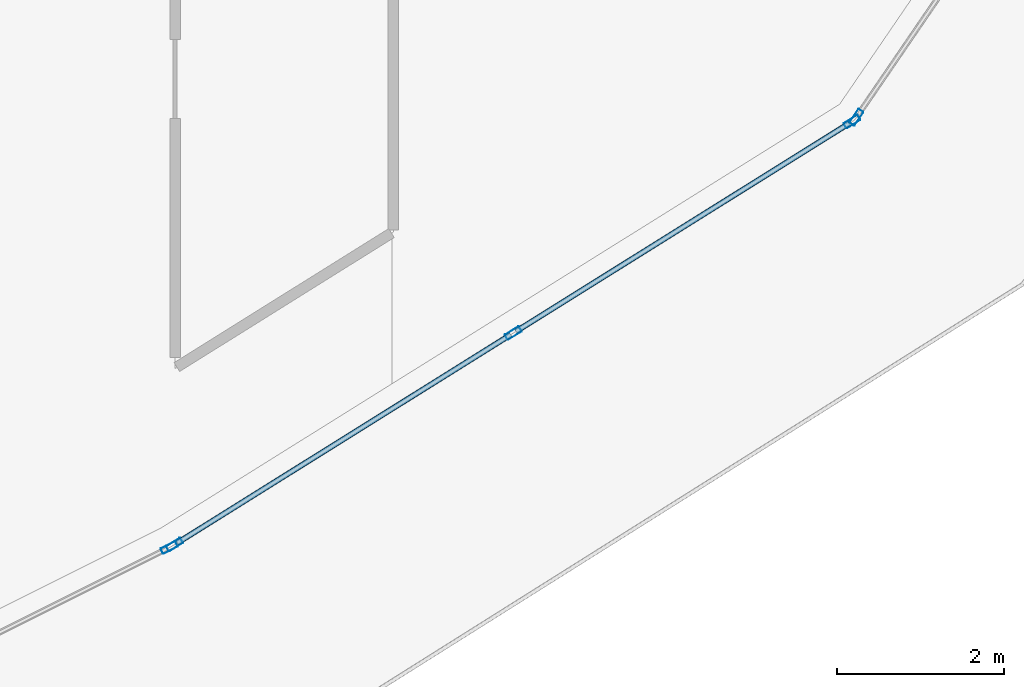
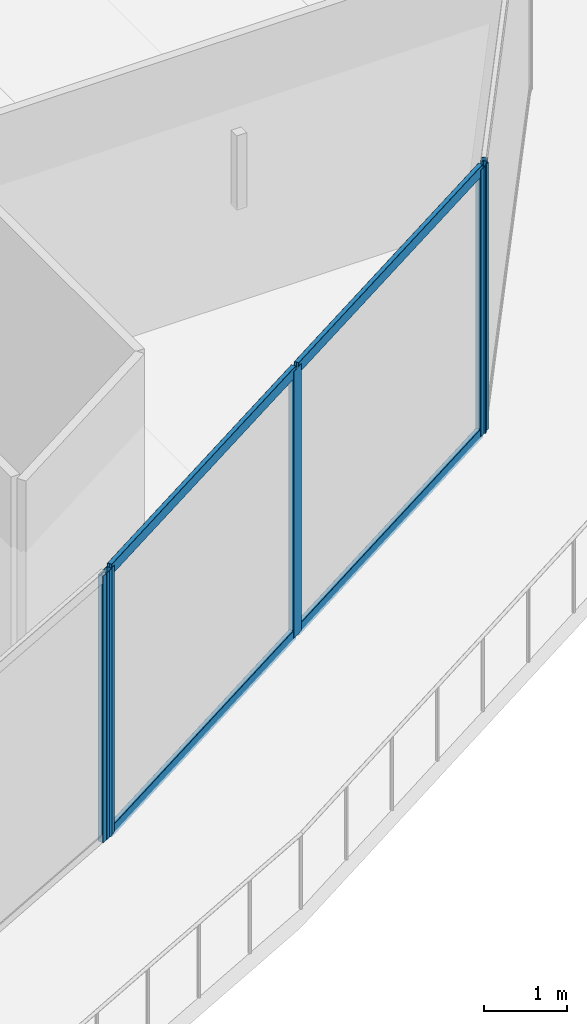
# One storey, part 8 of 47: 9 members, 3 elements without a shape of their own.
"""IFC4 building model written with IfcOpenShell, lengths in metres."""

from ifc_helpers import new_model, si_unit, direction, frame, origin, origin_2d, place, context, subcontext, project, spatial, hollow_rectangle, extrude, material, layer, layer_set, material_profile, profile_set, type_object, element, aggregate, save


model = new_model("IFC4")

# Units and contexts
model_context = context("Model", 3, precision=1e-05, world=origin(), true_north=direction((0.0, 1.0)))
body_context = subcontext(model_context, "Body", "Model", "MODEL_VIEW")
ifc_project = project(units=[si_unit("LENGTHUNIT", "METRE"), si_unit("AREAUNIT", "SQUARE_METRE"), si_unit("VOLUMEUNIT", "CUBIC_METRE"), si_unit("PLANEANGLEUNIT", "RADIAN"), si_unit("MASSUNIT", "GRAM", prefix="KILO")], contexts=[model_context])

# Site, building, storey
site_placement = place(None, origin())
site = spatial("IfcSite", under=ifc_project, at=site_placement, CompositionType="ELEMENT")
building_placement = place(site_placement, origin())
building = spatial("IfcBuilding", under=site, at=building_placement, Name="Qorvath Tower", CompositionType="ELEMENT")
storey_placement = place(building_placement, frame((0.0, 0.0, 74.39990234375)))
storey = spatial("IfcBuildingStorey", under=building, at=storey_placement, Name="L16", CompositionType="ELEMENT", Elevation=74.39990234375)

# Curtain wall, member
ifc_material_1 = material(Name="Anodised aluminium and triple low-E glass", Category="aluminium")
ifc_layer = layer(ifc_material_1, 0.179931640625)
ifc_layer_set = layer_set([ifc_layer], Name="CW-SYS-5")
curtain_wall_type = type_object("IfcCurtainWallType", Name="CW-SYS-5", PredefinedType="NOTDEFINED", material=ifc_layer_set)
curtain_wall_1_placement = place(storey_placement, origin())
curtain_wall_1 = element("IfcCurtainWall", 1, at=curtain_wall_1_placement, inside=storey, type_object=curtain_wall_type, Name="Curtain Wall CW-5 CW-T-L16-7.1", PredefinedType="NOTDEFINED")
ifc_material_2 = material(Name="Anodised aluminium 6063-T6", Category="aluminium")
ifc_material_profile_1 = material_profile(ifc_material_2, hollow_rectangle(XDim=0.074951171875, YDim=0.199951171875, WallThickness=0.00390625, InnerFilletRadius=0.00390625, OuterFilletRadius=0.008056640625, at=origin_2d()), Name="CWM 200x75")
ifc_profile_set_1 = profile_set([ifc_material_profile_1], Name="Anodised aluminium 6063-T6")
member_type_1 = type_object("IfcMemberType", Name="CWM-200", PredefinedType="MULLION", material=ifc_profile_set_1)
member_1_placement = place(storey_placement, frame((-10.678955078125, -29.957763671875, 0.0), z_axis=(0.0, 0.0, 1.0), x_axis=(-0.4472058288, 0.894431074308, 0.0)))
member_1 = element("IfcMember", 2, at=member_1_placement, type_object=member_type_1, Name="CW-5 mullion 2", PredefinedType="MULLION", context=body_context, shape_type="SweptSolid", body=[
    extrude(hollow_rectangle(XDim=0.074951171875, YDim=0.199951171875, WallThickness=0.00390625, InnerFilletRadius=0.00390625, OuterFilletRadius=0.008056640625, at=origin_2d()), origin(), (0.0, 0.0, 1.0), 3.920166015625),
])
aggregate(curtain_wall_1, [member_1])

# Curtain wall, members
curtain_wall_2_placement = place(storey_placement, origin())
curtain_wall_2 = element("IfcCurtainWall", 3, at=curtain_wall_2_placement, inside=storey, type_object=curtain_wall_type, Name="Curtain Wall CW-5 CW-T-L16-8.1", PredefinedType="NOTDEFINED")
member_2_placement = place(storey_placement, frame((-10.61376953125, -29.921142578125, 0.0), z_axis=(0.0, 0.0, 1.0), x_axis=(-0.529645100027, 0.848219351358, 0.0)))
member_2 = element("IfcMember", 4, at=member_2_placement, type_object=member_type_1, Name="CW-5 mullion 1", PredefinedType="MULLION", context=body_context, shape_type="SweptSolid", body=[
    extrude(hollow_rectangle(XDim=0.074951171875, YDim=0.199951171875, WallThickness=0.00390625, InnerFilletRadius=0.00390625, OuterFilletRadius=0.008056640625, at=origin_2d()), origin(), (0.0, 0.0, 1.0), 3.920166015625),
])
member_3_placement = place(storey_placement, frame((-6.55078125, -27.384033203125, 0.0), z_axis=(0.0, 0.0, 1.0), x_axis=(-0.529645100027, 0.848219351358, 0.0)))
member_3 = element("IfcMember", 5, at=member_3_placement, type_object=member_type_1, Name="CW-5 mullion 2", PredefinedType="MULLION", context=body_context, shape_type="SweptSolid", body=[
    extrude(hollow_rectangle(XDim=0.074951171875, YDim=0.199951171875, WallThickness=0.00390625, InnerFilletRadius=0.00390625, OuterFilletRadius=0.008056640625, at=origin_2d()), origin(), (0.0, 0.0, 1.0), 3.920166015625),
])
member_4_placement = place(storey_placement, frame((-2.488037109375, -24.84716796875, 0.0), z_axis=(0.0, 0.0, 1.0), x_axis=(-0.529645100027, 0.848219351358, 0.0)))
member_4 = element("IfcMember", 6, at=member_4_placement, type_object=member_type_1, Name="CW-5 mullion 3", PredefinedType="MULLION", context=body_context, shape_type="SweptSolid", body=[
    extrude(hollow_rectangle(XDim=0.074951171875, YDim=0.199951171875, WallThickness=0.00390625, InnerFilletRadius=0.00390625, OuterFilletRadius=0.008056640625, at=origin_2d()), origin(), (0.0, 0.0, 1.0), 3.920166015625),
])

# Curtain wall, member
curtain_wall_3_placement = place(storey_placement, origin())
curtain_wall_3 = element("IfcCurtainWall", 7, at=curtain_wall_3_placement, inside=storey, type_object=curtain_wall_type, Name="Curtain Wall CW-5 CW-T-L16-9.1", PredefinedType="NOTDEFINED")
member_5_placement = place(storey_placement, frame((-2.43505859375, -24.79638671875, 0.0), z_axis=(0.0, 0.0, 1.0), x_axis=(-0.825776009163, 0.563998211602, 0.0)))
member_5 = element("IfcMember", 8, at=member_5_placement, type_object=member_type_1, Name="CW-5 mullion 1", PredefinedType="MULLION", context=body_context, shape_type="SweptSolid", body=[
    extrude(hollow_rectangle(XDim=0.074951171875, YDim=0.199951171875, WallThickness=0.00390625, InnerFilletRadius=0.00390625, OuterFilletRadius=0.008056640625, at=origin_2d()), origin(), (0.0, 0.0, 1.0), 3.920166015625),
])
aggregate(curtain_wall_3, [member_5])

# Member
ifc_material_3 = material(Name="Anodised aluminium 6063-T6", Category="aluminium")
ifc_material_profile_2 = material_profile(ifc_material_3, hollow_rectangle(XDim=0.06494140625, YDim=0.159912109375, WallThickness=0.00341796875, InnerFilletRadius=0.00341796875, OuterFilletRadius=0.007080078125, at=origin_2d()), Name="CWT 160x65")
ifc_profile_set_2 = profile_set([ifc_material_profile_2], Name="Anodised aluminium 6063-T6")
member_type_2 = type_object("IfcMemberType", Name="CWT-160", PredefinedType="USERDEFINED", material=ifc_profile_set_2)
member_6_placement = place(storey_placement, frame((-10.581787109375, -29.901123046875, 0.032470703125), z_axis=(0.848219329766, 0.529645134606, 0.0), x_axis=(-0.529645134606, 0.848219329766, 0.0)))
member_6 = element("IfcMember", 9, at=member_6_placement, type_object=member_type_2, Name="CW-5 transom 1.1", ObjectType="TRANSOM", PredefinedType="USERDEFINED", context=body_context, shape_type="SweptSolid", body=[
    extrude(hollow_rectangle(XDim=0.06494140625, YDim=0.159912109375, WallThickness=0.00341796875, InnerFilletRadius=0.00341796875, OuterFilletRadius=0.007080078125, at=origin_2d()), origin(), (0.0, 0.0, 1.0), 4.714599609375),
])

member_7_placement = place(storey_placement, frame((-10.581787109375, -29.901123046875, 3.8876953125), z_axis=(0.848219329766, 0.529645134606, 0.0), x_axis=(-0.529645134606, 0.848219329766, 0.0)))
member_7 = element("IfcMember", 10, at=member_7_placement, type_object=member_type_2, Name="CW-5 transom 1.2", ObjectType="TRANSOM", PredefinedType="USERDEFINED", context=body_context, shape_type="SweptSolid", body=[
    extrude(hollow_rectangle(XDim=0.06494140625, YDim=0.159912109375, WallThickness=0.00341796875, InnerFilletRadius=0.00341796875, OuterFilletRadius=0.007080078125, at=origin_2d()), origin(), (0.0, 0.0, 1.0), 4.714599609375),
])

member_8_placement = place(storey_placement, frame((-6.51904296875, -27.3642578125, 0.032470703125), z_axis=(0.848219329766, 0.529645134606, 0.0), x_axis=(-0.529645134606, 0.848219329766, 0.0)))
member_8 = element("IfcMember", 11, at=member_8_placement, type_object=member_type_2, Name="CW-5 transom 2.1", ObjectType="TRANSOM", PredefinedType="USERDEFINED", context=body_context, shape_type="SweptSolid", body=[
    extrude(hollow_rectangle(XDim=0.06494140625, YDim=0.159912109375, WallThickness=0.00341796875, InnerFilletRadius=0.00341796875, OuterFilletRadius=0.007080078125, at=origin_2d()), origin(), (0.0, 0.0, 1.0), 4.714599609375),
])

member_9_placement = place(storey_placement, frame((-6.51904296875, -27.3642578125, 3.8876953125), z_axis=(0.848219329766, 0.529645134606, 0.0), x_axis=(-0.529645134606, 0.848219329766, 0.0)))
member_9 = element("IfcMember", 12, at=member_9_placement, type_object=member_type_2, Name="CW-5 transom 2.2", ObjectType="TRANSOM", PredefinedType="USERDEFINED", context=body_context, shape_type="SweptSolid", body=[
    extrude(hollow_rectangle(XDim=0.06494140625, YDim=0.159912109375, WallThickness=0.00341796875, InnerFilletRadius=0.00341796875, OuterFilletRadius=0.007080078125, at=origin_2d()), origin(), (0.0, 0.0, 1.0), 4.714599609375),
])

aggregate(curtain_wall_2, [member_2, member_3, member_4, member_6, member_7, member_8, member_9])

save(model, "model.ifc")
